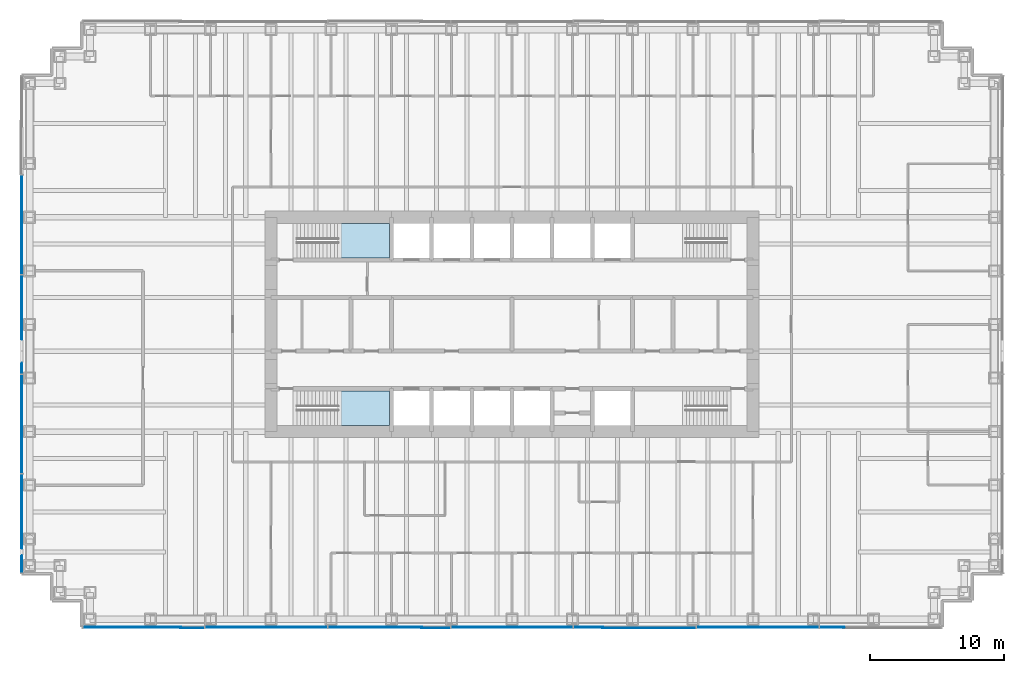
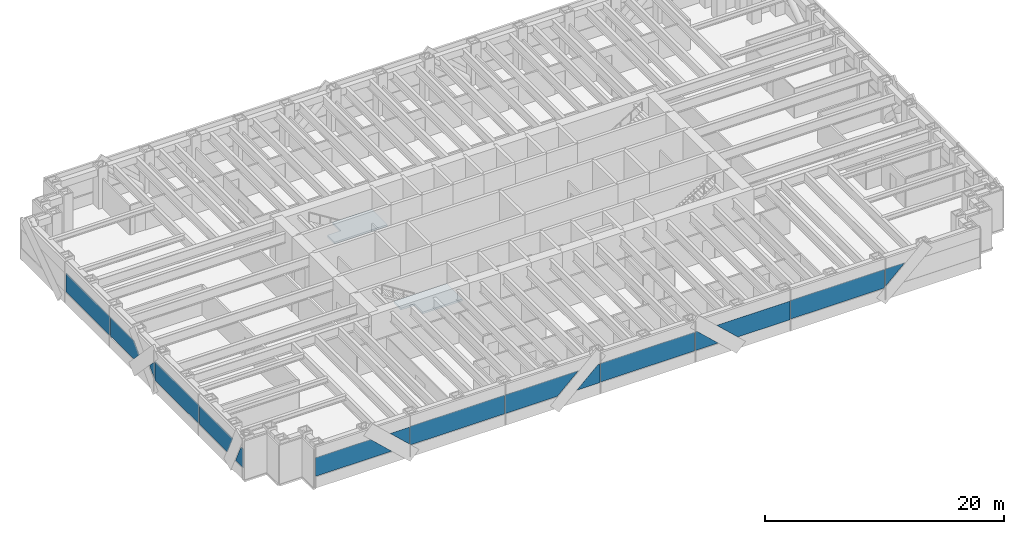
# One storey, part 8 of 16: 16 plates, 2 slabs, 4 elements without a shape of their own.
"""IFC4 building model written with IfcOpenShell, lengths in metres."""

from ifc_helpers import new_model, si_unit, direction, frame, origin, origin_2d, place, context, subcontext, project, spatial, polyline, rectangle, outline, extrude, material, layer, layer_set, type_object, element, aggregate, save


model = new_model("IFC4")

# Units and contexts
model_context = context("Model", 3, precision=1e-05, world=origin(), true_north=direction((0.0, 1.0)))
body_context = subcontext(model_context, "Body", "Model", "MODEL_VIEW")
ifc_project = project(units=[si_unit("LENGTHUNIT", "METRE"), si_unit("AREAUNIT", "SQUARE_METRE"), si_unit("VOLUMEUNIT", "CUBIC_METRE"), si_unit("PLANEANGLEUNIT", "RADIAN"), si_unit("MASSUNIT", "GRAM", prefix="KILO")], contexts=[model_context])

# Site, building, storey
site_placement = place(None, origin())
site = spatial("IfcSite", under=ifc_project, at=site_placement, CompositionType="ELEMENT")
building_placement = place(site_placement, origin())
building = spatial("IfcBuilding", under=site, at=building_placement, Name="Rheinbord Bourse Tower", CompositionType="ELEMENT")
storey_placement = place(building_placement, frame((0.0, 0.0, 176.10009765625)))
storey = spatial("IfcBuildingStorey", under=building, at=storey_placement, Name="L39", CompositionType="ELEMENT", Elevation=176.10009765625)

# Curtain wall, plates
ifc_material_1 = material(Name="Dark glass and black aluminium", Category="aluminium")
curtain_wall_type = type_object("IfcCurtainWallType", Name="CW5 DARK GLASS CURTAIN WALL", PredefinedType="USERDEFINED", material=ifc_material_1)
curtain_wall_1_placement = place(storey_placement, origin())
curtain_wall_1 = element("IfcCurtainWall", 1, at=curtain_wall_1_placement, inside=storey, type_object=curtain_wall_type, Name="Curtain wall CW5 S L39", ObjectType="UNITISED CURTAIN WALL", PredefinedType="USERDEFINED")
ifc_material_2 = material(Name="Dark tinted triple insulating glass", Category="glass")
ifc_layer_1 = layer(ifc_material_2, 0.050048828125)
ifc_layer_set_1 = layer_set([ifc_layer_1], Name="CW5 DARK GLASS PANEL")
plate_type = type_object("IfcPlateType", Name="CW5 DARK GLASS PANEL", PredefinedType="CURTAIN_PANEL", material=ifc_layer_set_1)
plate_1_placement = place(storey_placement, frame((36.0, 1.39990234375, 1.14990234375), z_axis=(0.0, 0.0, 1.0), x_axis=(1.0, 0.0, 0.0)))
plate_1 = element("IfcPlate", 2, at=plate_1_placement, type_object=plate_type, Name="CW5 panel 4.1", PredefinedType="CURTAIN_PANEL", context=body_context, shape_type="SweptSolid", body=[
    extrude(rectangle(XDim=9.09130859375, YDim=0.050048828125, at=origin_2d()), origin(), (0.0, 0.0, 1.0), 1.89990234375),
])
plate_2_placement = place(storey_placement, frame((3.97998046875, 1.375, 1.14990234375), z_axis=(0.0, 1.0, 0.0), x_axis=(0.0, 0.0, 1.0)))
plate_2 = element("IfcPlate", 3, at=plate_2_placement, type_object=plate_type, Name="CW5 glass facet 1", PredefinedType="CURTAIN_PANEL", context=body_context, shape_type="SweptSolid", body=[
    extrude(outline(polyline([(0.0, 0.0), (1.89990234375, 0.0), (1.89990234375, 5.330078125), (0.0, 7.364990234375), (0.0, 0.0)])), origin(), (0.0, 0.0, 1.0), 0.050048828125),
])
plate_3_placement = place(storey_placement, frame((13.031005859375, 1.31982421875, 3.0498046875), z_axis=(0.0, 1.0, 0.0), x_axis=(0.0, 0.0, -1.0)))
plate_3 = element("IfcPlate", 4, at=plate_3_placement, type_object=plate_type, Name="CW5 glass facet 2", PredefinedType="CURTAIN_PANEL", context=body_context, shape_type="SweptSolid", body=[
    extrude(outline(polyline([(0.0, 0.0), (1.751953125, 0.0), (0.0, 1.8759765625), (0.0, 0.0)])), origin(), (0.0, 0.0, 1.0), 0.050048828125),
])
plate_4_placement = place(storey_placement, frame((13.111083984375, 1.375, 3.0498046875), z_axis=(0.0, 1.0, 0.0), x_axis=(1.0, 0.0, 0.0)))
plate_4 = element("IfcPlate", 5, at=plate_4_placement, type_object=plate_type, Name="CW5 glass facet 1", PredefinedType="CURTAIN_PANEL", context=body_context, shape_type="SweptSolid", body=[
    extrude(outline(polyline([(0.0, 0.0), (9.091796875, 0.0), (9.091796875, 1.89990234375), (0.078857421875, 1.89990234375), (0.0, 1.825927734375), (0.0, 0.0)])), origin(), (0.0, 0.0, 1.0), 0.050048828125),
])
plate_5_placement = place(storey_placement, frame((22.282958984375, 1.375, 1.14990234375), z_axis=(0.0, 1.0, 0.0), x_axis=(0.0, 0.0, 1.0)))
plate_5 = element("IfcPlate", 6, at=plate_5_placement, type_object=plate_type, Name="CW5 glass facet 1", PredefinedType="CURTAIN_PANEL", context=body_context, shape_type="SweptSolid", body=[
    extrude(outline(polyline([(0.0, 0.0), (1.89990234375, 0.0), (1.89990234375, 7.06201171875), (0.0, 5.027099609375), (0.0, 0.0)])), origin(), (0.0, 0.0, 1.0), 0.050048828125),
])
plate_6_placement = place(storey_placement, frame((31.3740234375, 1.31982421875, 3.0498046875), z_axis=(0.0, 1.0, 0.0), x_axis=(0.0, 0.0, -1.0)))
plate_6 = element("IfcPlate", 7, at=plate_6_placement, type_object=plate_type, Name="CW5 glass facet 2", PredefinedType="CURTAIN_PANEL", context=body_context, shape_type="SweptSolid", body=[
    extrude(outline(polyline([(0.0, 0.0), (1.89990234375, 0.0), (1.89990234375, 2.218994140625), (0.0, 0.18408203125), (0.0, 0.0)])), origin(), (0.0, 0.0, 1.0), 0.050048828125),
])
plate_7_placement = place(storey_placement, frame((40.6259765625, 1.375, 1.14990234375), z_axis=(0.0, 1.0, 0.0), x_axis=(0.0, 0.0, 1.0)))
plate_7 = element("IfcPlate", 8, at=plate_7_placement, type_object=plate_type, Name="CW5 glass facet 1", PredefinedType="CURTAIN_PANEL", context=body_context, shape_type="SweptSolid", body=[
    extrude(outline(polyline([(0.0, 0.0), (1.89990234375, 0.0), (1.89990234375, 0.18408203125), (0.0, 2.218994140625), (0.0, 0.0)])), origin(), (0.0, 0.0, 1.0), 0.050048828125),
])
plate_8_placement = place(storey_placement, frame((49.717041015625, 1.31982421875, 3.0498046875), z_axis=(0.0, 1.0, 0.0), x_axis=(0.0, 0.0, -1.0)))
plate_8 = element("IfcPlate", 9, at=plate_8_placement, type_object=plate_type, Name="CW5 glass facet 2", PredefinedType="CURTAIN_PANEL", context=body_context, shape_type="SweptSolid", body=[
    extrude(outline(polyline([(0.0, 0.0), (1.89990234375, 0.0), (1.89990234375, 5.027099609375), (0.0, 7.06201171875), (0.0, 0.0)])), origin(), (0.0, 0.0, 1.0), 0.050048828125),
])
plate_9_placement = place(storey_placement, frame((49.797119140625, 1.375, 1.14990234375), z_axis=(0.0, 1.0, 0.0), x_axis=(0.0, 0.0, 1.0)))
plate_9 = element("IfcPlate", 10, at=plate_9_placement, type_object=plate_type, Name="CW5 glass facet 1", PredefinedType="CURTAIN_PANEL", context=body_context, shape_type="SweptSolid", body=[
    extrude(outline(polyline([(0.0, 0.0), (1.89990234375, 0.0), (1.89990234375, 9.091796875), (0.073974609375, 9.091796875), (0.0, 9.012939453125), (0.0, 0.0)])), origin(), (0.0, 0.0, 1.0), 0.050048828125),
])
plate_10_placement = place(storey_placement, frame((58.968994140625, 1.375, 3.0498046875), z_axis=(0.0, 1.0, 0.0), x_axis=(1.0, 0.0, 0.0)))
plate_10 = element("IfcPlate", 11, at=plate_10_placement, type_object=plate_type, Name="CW5 glass facet 1", PredefinedType="CURTAIN_PANEL", context=body_context, shape_type="SweptSolid", body=[
    extrude(outline(polyline([(0.0, 0.0), (1.8759765625, 0.0), (0.0, 1.751953125), (0.0, 0.0)])), origin(), (0.0, 0.0, 1.0), 0.050048828125),
])
aggregate(curtain_wall_1, [plate_1, plate_2, plate_3, plate_4, plate_5, plate_6, plate_7, plate_8, plate_9, plate_10])

curtain_wall_2_placement = place(storey_placement, origin())
curtain_wall_2 = element("IfcCurtainWall", 12, at=curtain_wall_2_placement, inside=storey, type_object=curtain_wall_type, Name="Curtain wall CW5 W L39", ObjectType="UNITISED CURTAIN WALL", PredefinedType="USERDEFINED")
plate_11_placement = place(storey_placement, frame((-0.60009765625, 31.43994140625, 1.14990234375), z_axis=(0.0, 0.0, 1.0), x_axis=(0.0, -1.0, 0.0)))
plate_11 = element("IfcPlate", 13, at=plate_11_placement, type_object=plate_type, Name="CW5 panel 2.1", PredefinedType="CURTAIN_PANEL", context=body_context, shape_type="SweptSolid", body=[
    extrude(rectangle(XDim=7.360107421875, YDim=0.050048828125, at=origin_2d()), origin(), (0.0, 0.0, 1.0), 1.89990234375),
])
plate_12_placement = place(storey_placement, frame((-0.625, 27.679931640625, 1.14990234375), z_axis=(1.0, 0.0, 0.0), x_axis=(0.0, 0.0, 1.0)))
plate_12 = element("IfcPlate", 14, at=plate_12_placement, type_object=plate_type, Name="CW5 glass facet 1", PredefinedType="CURTAIN_PANEL", context=body_context, shape_type="SweptSolid", body=[
    extrude(outline(polyline([(0.0, 0.0), (1.89990234375, 0.0), (1.89990234375, 3.906005859375), (0.949951171875, 4.81103515625), (0.0, 3.906005859375), (0.0, 0.0)])), origin(), (0.0, 0.0, 1.0), 0.050048828125),
])
plate_13_placement = place(storey_placement, frame((-0.625, 20.320068359375, 1.2490234375), z_axis=(1.0, 0.0, 0.0), x_axis=(0.0, 0.689976655342, 0.723831620671)))
plate_13 = element("IfcPlate", 15, at=plate_13_placement, type_object=plate_type, Name="CW5 glass facet 2", PredefinedType="CURTAIN_PANEL", context=body_context, shape_type="SweptSolid", body=[
    extrude(outline(polyline([(0.0, 0.0), (1.175537109375, 0.0), (1.23193359375, 1.17431640625), (0.0, 0.0)])), origin(), (0.0, 0.0, 1.0), 0.050048828125),
])
plate_14_placement = place(storey_placement, frame((-0.625, 12.8798828125, 3.0498046875), z_axis=(1.0, 0.0, 0.0), x_axis=(0.0, 0.0, -1.0)))
plate_14 = element("IfcPlate", 16, at=plate_14_placement, type_object=plate_type, Name="CW5 glass facet 1", PredefinedType="CURTAIN_PANEL", context=body_context, shape_type="SweptSolid", body=[
    extrude(outline(polyline([(0.0, 0.0), (1.89990234375, 0.0), (1.89990234375, 7.34619140625), (1.885009765625, 7.360107421875), (0.014892578125, 7.360107421875), (0.0, 7.34619140625), (0.0, 0.0)])), origin(), (0.0, 0.0, 1.0), 0.050048828125),
])
plate_15_placement = place(storey_placement, frame((-0.625, 12.800048828125, 1.14990234375), z_axis=(1.0, 0.0, 0.0), x_axis=(0.0, 0.0, 1.0)))
plate_15 = element("IfcPlate", 17, at=plate_15_placement, type_object=plate_type, Name="CW5 glass facet 1", PredefinedType="CURTAIN_PANEL", context=body_context, shape_type="SweptSolid", body=[
    extrude(outline(polyline([(0.0, 0.0), (1.89990234375, 0.0), (1.89990234375, 5.554931640625), (0.0, 4.650146484375), (0.0, 0.0)])), origin(), (0.0, 0.0, 1.0), 0.050048828125),
])
plate_16_placement = place(storey_placement, frame((-0.625, 5.47998046875, 3.0498046875), z_axis=(1.0, 0.0, 0.0), x_axis=(0.0, 0.0, -1.0)))
plate_16 = element("IfcPlate", 18, at=plate_16_placement, type_object=plate_type, Name="CW5 glass facet 2", PredefinedType="CURTAIN_PANEL", context=body_context, shape_type="SweptSolid", body=[
    extrude(outline(polyline([(0.0, 0.0), (1.89990234375, 0.0), (1.89990234375, 1.27490234375), (0.0, 0.3701171875), (0.0, 0.0)])), origin(), (0.0, 0.0, 1.0), 0.050048828125),
])
aggregate(curtain_wall_2, [plate_11, plate_12, plate_13, plate_14, plate_15, plate_16])

# Stair, slab
ifc_material_3 = material(Name="Concrete C30/37", Category="concrete")
stair_type = type_object("IfcStairType", Name="CORE STAIR HALF TURN 4200", PredefinedType="HALF_TURN_STAIR", material=ifc_material_3)
stair_1_placement = place(storey_placement, origin())
stair_1 = element("IfcStair", 19, at=stair_1_placement, inside=storey, type_object=stair_type, Name="Stair ST1 L39, type CS6", PredefinedType="HALF_TURN_STAIR")
ifc_material_4 = material(Name="Concrete C30/37", Category="concrete")
ifc_layer_2 = layer(ifc_material_4, 0.199951171875)
ifc_layer_set_2 = layer_set([ifc_layer_2], Name="STAIR LANDING 200")
slab_type = type_object("IfcSlabType", Name="STAIR LANDING 200", PredefinedType="LANDING", material=ifc_layer_set_2)
slab_1_placement = place(storey_placement, frame((0.0, 0.0, 1.89990234375)))
slab_1 = element("IfcSlab", 20, at=slab_1_placement, type_object=slab_type, Name="Half landing ST1 L39", PredefinedType="LANDING", context=body_context, shape_type="SweptSolid", body=[
    extrude(outline(polyline([(23.030029296875, 16.449951171875), (26.85009765625, 16.449951171875), (26.85009765625, 19.050048828125), (21.748046875, 19.050048828125), (21.748046875, 17.85009765625), (23.030029296875, 17.85009765625), (23.030029296875, 16.449951171875)])), origin(), (0.0, 0.0, 1.0), 0.199951171875),
])
aggregate(stair_1, [slab_1])

stair_2_placement = place(storey_placement, origin())
stair_2 = element("IfcStair", 21, at=stair_2_placement, inside=storey, type_object=stair_type, Name="Stair ST2 L39, type CS6", PredefinedType="HALF_TURN_STAIR")
slab_2_placement = place(storey_placement, frame((0.0, 0.0, 1.89990234375)))
slab_2 = element("IfcSlab", 22, at=slab_2_placement, type_object=slab_type, Name="Half landing ST2 L39", PredefinedType="LANDING", context=body_context, shape_type="SweptSolid", body=[
    extrude(outline(polyline([(21.748046875, 28.949951171875), (26.85009765625, 28.949951171875), (26.85009765625, 31.550048828125), (23.030029296875, 31.550048828125), (23.030029296875, 30.14990234375), (21.748046875, 30.14990234375), (21.748046875, 28.949951171875)])), origin(), (0.0, 0.0, 1.0), 0.199951171875),
])
aggregate(stair_2, [slab_2])

save(model, "model.ifc")
